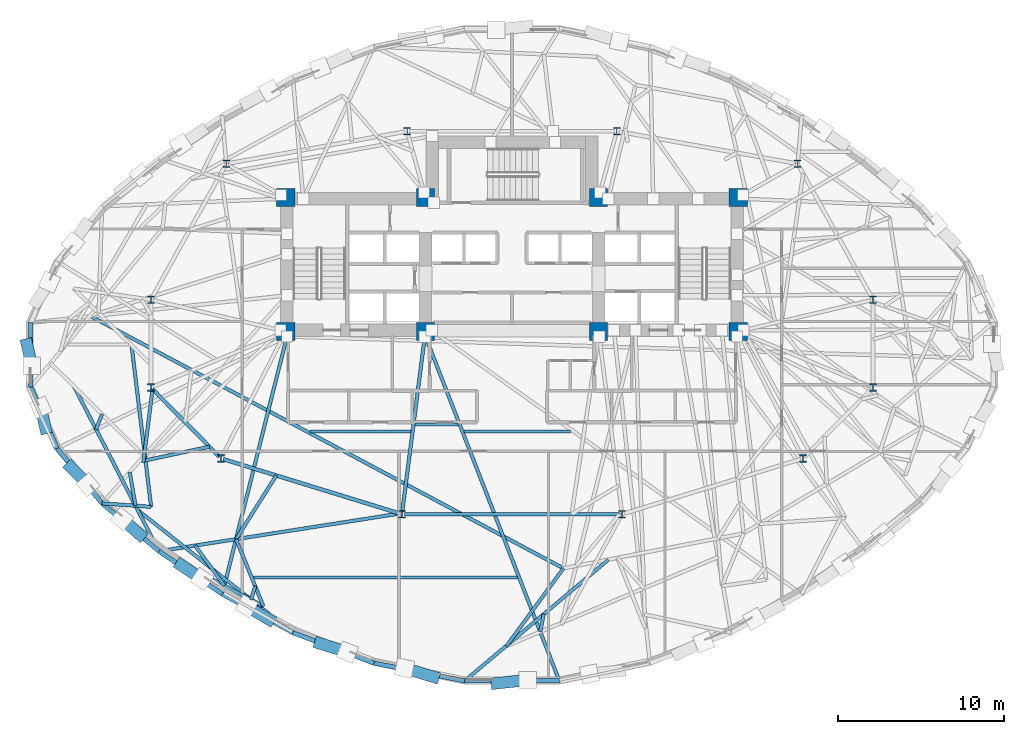
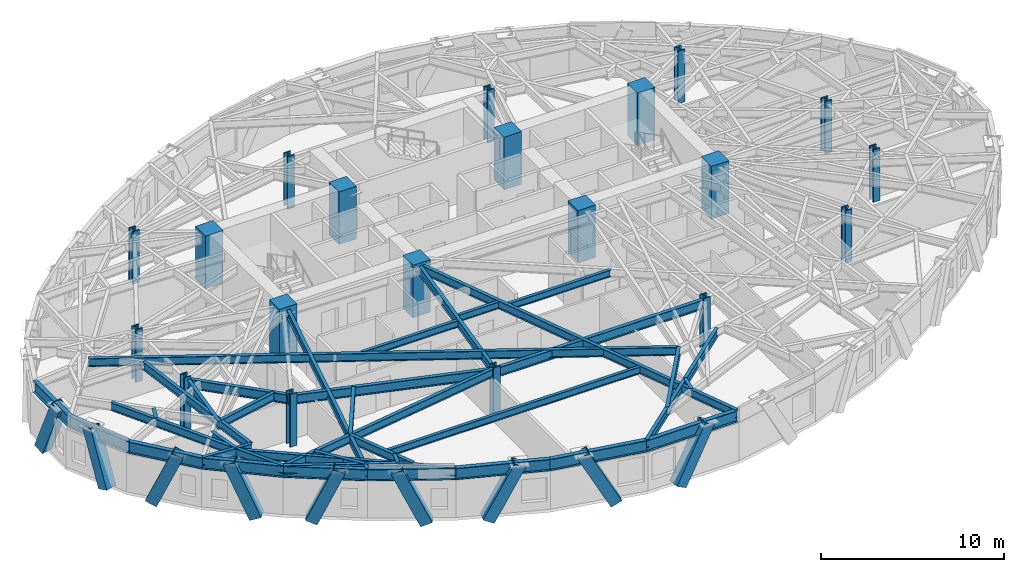
# One storey, part 1 of 14: 37 beams, 20 columns, 9 members.
"""IFC4 building model written with IfcOpenShell, lengths in metres."""

from ifc_helpers import new_model, si_unit, direction, frame, origin, origin_2d, place, context, subcontext, project, spatial, rectangle, hollow_rectangle, i_section, extrude, material, material_profile, profile_set, type_object, element, save


model = new_model("IFC4")

# Units and contexts
model_context = context("Model", 3, precision=1e-05, world=origin(), true_north=direction((0.0, 1.0)))
body_context = subcontext(model_context, "Body", "Model", "MODEL_VIEW")
ifc_project = project(units=[si_unit("LENGTHUNIT", "METRE"), si_unit("AREAUNIT", "SQUARE_METRE"), si_unit("VOLUMEUNIT", "CUBIC_METRE"), si_unit("PLANEANGLEUNIT", "RADIAN"), si_unit("MASSUNIT", "GRAM", prefix="KILO")], contexts=[model_context])

# Site, building, storey
site_placement = place(None, origin())
site = spatial("IfcSite", under=ifc_project, at=site_placement, CompositionType="ELEMENT")
building_placement = place(site_placement, origin())
building = spatial("IfcBuilding", under=site, at=building_placement, Name="Keldmark Tower", CompositionType="ELEMENT")
storey_placement = place(building_placement, frame((0.0, 0.0, 86.10009765625)))
storey = spatial("IfcBuildingStorey", under=building, at=storey_placement, Name="L22", CompositionType="ELEMENT", Elevation=86.10009765625)

# Columns
ifc_material_1 = material(Name="Concrete C70/85", Category="concrete")
ifc_material_profile_1 = material_profile(ifc_material_1, rectangle(XDim=1.10009765625, YDim=1.10009765625, at=origin_2d()), Name="RC1100X1100")
ifc_profile_set_1 = profile_set([ifc_material_profile_1], Name="Concrete C70/85")
column_type_1 = type_object("IfcColumnType", Name="Core Boundary Column RC1100", PredefinedType="COLUMN", material=ifc_profile_set_1)
for number, where, z_axis, x_axis, name in (
    (1, (-13.60009765625, 1.39990234375, 0.0), (0.0, 0.0, 1.0), (1.0, 0.0, 0.0), "L22 Core Boundary Column CC-W1"),
    (2, (-13.60009765625, 9.449951171875, 0.0), (0.0, 0.0, 1.0), (1.0, 0.0, 0.0), "L22 Core Boundary Column CC-W2"),
    (3, (-5.199951171875, 1.39990234375, 0.0), (0.0, 0.0, 1.0), (1.0, 0.0, 0.0), "L22 Core Boundary Column CC-W3"),
    (4, (-5.199951171875, 9.449951171875, 0.0), (0.0, 0.0, 1.0), (1.0, 0.0, 0.0), "L22 Core Boundary Column CC-W4"),
    (5, (5.199951171875, 1.39990234375, 0.0), (0.0, 0.0, 1.0), (1.0, 0.0, 0.0), "L22 Core Boundary Column CC-E1"),
    (6, (5.199951171875, 9.449951171875, 0.0), (0.0, 0.0, 1.0), (1.0, 0.0, 0.0), "L22 Core Boundary Column CC-E2"),
    (7, (13.60009765625, 1.39990234375, 0.0), (0.0, 0.0, 1.0), (1.0, 0.0, 0.0), "L22 Core Boundary Column CC-E3"),
    (8, (13.60009765625, 9.449951171875, 0.0), (0.0, 0.0, 1.0), (1.0, 0.0, 0.0), "L22 Core Boundary Column CC-E4"),
):
    element("IfcColumn", number, at=place(storey_placement, frame(where, z_axis=z_axis, x_axis=x_axis)), inside=storey, type_object=column_type_1, Name=name, PredefinedType="COLUMN", context=body_context, shape_type="SweptSolid", body=[
        extrude(rectangle(XDim=1.10009765625, YDim=1.10009765625, at=origin_2d()), origin(), (0.0, 0.0, 1.0), 3.5),
    ])
ifc_material_2 = material(Name="Steel ASTM A992 Grade 50", Category="steel")
ifc_material_profile_2 = material_profile(ifc_material_2, i_section(OverallWidth=0.424072265625, OverallDepth=0.47412109375, WebThickness=0.047607421875, FlangeThickness=0.0771484375, at=origin_2d()), Name="W14X426")
ifc_profile_set_2 = profile_set([ifc_material_profile_2], Name="Steel ASTM A992 Grade 50")
column_type_2 = type_object("IfcColumnType", Name="Tower Gravity Column W14X426", PredefinedType="COLUMN", material=ifc_profile_set_2)
for number, where, z_axis, x_axis, name in (
    (9, (21.697021484375, 3.309814453125, 0.0), (0.0, 0.0, 1.0), (1.0, 0.0, 0.0), "L22 Tower Gravity Column TC-E1"),
    (10, (17.1669921875, 11.478271484375, 0.0), (0.0, 0.0, 1.0), (1.0, 0.0, 0.0), "L22 Tower Gravity Column TC-E4"),
    (11, (6.298828125, 13.4326171875, 0.0), (0.0, 0.0, 1.0), (1.0, 0.0, 0.0), "L22 Tower Gravity Column TC-N2"),
    (12, (-6.298828125, 13.4326171875, 0.0), (0.0, 0.0, 1.0), (1.0, 0.0, 0.0), "L22 Tower Gravity Column TC-N1"),
    (13, (-17.1669921875, 11.478271484375, 0.0), (0.0, 0.0, 1.0), (1.0, 0.0, 0.0), "L22 Tower Gravity Column TC-W4"),
    (14, (-21.697021484375, 3.309814453125, 0.0), (0.0, 0.0, 1.0), (1.0, 0.0, 0.0), "L22 Tower Gravity Column TC-W1"),
    (15, (-21.697021484375, -1.9658203125, 0.0), (0.0, 0.0, 1.0), (1.0, 0.0, 0.0), "L22 Tower Gravity Column TC-W5"),
    (16, (-17.477294921875, -6.2294921875, 0.0), (0.0, 0.0, 1.0), (1.0, 0.0, 0.0), "L22 Tower Gravity Column TC-W2"),
    (17, (-6.61279296875, -9.579345703125, 0.0), (0.0, 0.0, 1.0), (1.0, 0.0, 0.0), "L22 Tower Gravity Column TC-W3"),
    (18, (6.61279296875, -9.579345703125, 0.0), (0.0, 0.0, 1.0), (1.0, 0.0, 0.0), "L22 Tower Gravity Column TC-E3"),
    (19, (17.477294921875, -6.2294921875, 0.0), (0.0, 0.0, 1.0), (1.0, 0.0, 0.0), "L22 Tower Gravity Column TC-E2"),
    (20, (21.697021484375, -1.9658203125, 0.0), (0.0, 0.0, 1.0), (1.0, 0.0, 0.0), "L22 Tower Gravity Column TC-E5"),
):
    element("IfcColumn", number, at=place(storey_placement, frame(where, z_axis=z_axis, x_axis=x_axis)), inside=storey, type_object=column_type_2, Name=name, PredefinedType="COLUMN", context=body_context, shape_type="SweptSolid", body=[
        extrude(i_section(OverallWidth=0.424072265625, OverallDepth=0.47412109375, WebThickness=0.047607421875, FlangeThickness=0.0771484375, at=origin_2d()), origin(), (0.0, 0.0, 1.0), 3.5),
    ])

# Beams
ifc_material_3 = material(Name="Steel ASTM A992 Grade 50", Category="steel")
ifc_material_profile_3 = material_profile(ifc_material_3, i_section(OverallWidth=0.19091796875, OverallDepth=0.45703125, WebThickness=0.009033203125, FlangeThickness=0.014404296875, at=origin_2d()), Name="W18X50")
ifc_profile_set_3 = profile_set([ifc_material_profile_3], Name="Steel ASTM A992 Grade 50")
beam_type_1 = type_object("IfcBeamType", Name="Composite Floor Joist W18X50", PredefinedType="JOIST", material=ifc_profile_set_3)
beam_1_placement = place(storey_placement, frame((-15.537841796875, -13.3798828125, 3.081298828125), z_axis=(1.0, 0.0, 0.0), x_axis=(0.0, 1.0, 0.0)))
element("IfcBeam", 21, at=beam_1_placement, inside=storey, type_object=beam_type_1, Name="L22 Composite Floor Joist J01", PredefinedType="JOIST", context=body_context, shape_type="SweptSolid", body=[
    extrude(i_section(OverallWidth=0.19091796875, OverallDepth=0.45703125, WebThickness=0.009033203125, FlangeThickness=0.014404296875, at=origin_2d()), origin(), (0.0, 0.0, 1.0), 15.86474609375),
])
beam_2_placement = place(storey_placement, frame((-12.129638671875, -4.60009765625, 3.081298828125), z_axis=(1.0, 0.0, 0.0), x_axis=(0.0, 1.0, 0.0)))
element("IfcBeam", 22, at=beam_2_placement, inside=storey, type_object=beam_type_1, Name="L22 Composite Floor Joist J02", PredefinedType="JOIST", context=body_context, shape_type="SweptSolid", body=[
    extrude(i_section(OverallWidth=0.19091796875, OverallDepth=0.45703125, WebThickness=0.009033203125, FlangeThickness=0.014404296875, at=origin_2d()), origin(), (0.0, 0.0, 1.0), 6.058837890625),
])
beam_3_placement = place(storey_placement, frame((-5.819091796875, -4.179931640625, 3.081298828125), z_axis=(1.0, 0.0, 0.0), x_axis=(0.0, 1.0, 0.0)))
element("IfcBeam", 23, at=beam_3_placement, inside=storey, type_object=beam_type_1, Name="L22 Composite Floor Joist J03", PredefinedType="JOIST", context=body_context, shape_type="SweptSolid", body=[
    extrude(i_section(OverallWidth=0.19091796875, OverallDepth=0.45703125, WebThickness=0.009033203125, FlangeThickness=0.014404296875, at=origin_2d()), origin(), (0.0, 0.0, 1.0), 2.56884765625),
])
beam_4_placement = place(storey_placement, frame((-2.88037109375, -4.60009765625, 3.081298828125), z_axis=(1.0, 0.0, 0.0), x_axis=(0.0, 1.0, 0.0)))
element("IfcBeam", 24, at=beam_4_placement, inside=storey, type_object=beam_type_1, Name="L22 Composite Floor Joist J04", PredefinedType="JOIST", context=body_context, shape_type="SweptSolid", body=[
    extrude(i_section(OverallWidth=0.19091796875, OverallDepth=0.45703125, WebThickness=0.009033203125, FlangeThickness=0.014404296875, at=origin_2d()), origin(), (0.0, 0.0, 1.0), 6.40625),
])

# Members
ifc_material_4 = material(Name="Steel ASTM A572 Grade 50", Category="steel")
ifc_material_profile_4 = material_profile(ifc_material_4, hollow_rectangle(XDim=0.699951171875, YDim=0.699951171875, WallThickness=0.054931640625, at=origin_2d()), Name="BOX700X700X55")
ifc_profile_set_4 = profile_set([ifc_material_profile_4], Name="Steel ASTM A572 Grade 50")
member_type = type_object("IfcMemberType", Name="Diagrid Zone 1 Brace BOX700X700X55", PredefinedType="BRACE", material=ifc_profile_set_4)
member_1_placement = place(storey_placement, frame((-29.148193359375, 0.64404296875, -0.27001953125), z_axis=(0.080506829447, -0.348972729608, 0.933668401737), x_axis=(0.974406695158, 0.224792331788, 0.0)))
element("IfcMember", 25, at=member_1_placement, inside=storey, type_object=member_type, Name="L22 Perimeter Diagrid Brace 08B", PredefinedType="BRACE", context=body_context, shape_type="SweptSolid", body=[
    extrude(hollow_rectangle(XDim=0.699951171875, YDim=0.699951171875, WallThickness=0.054931640625, at=origin_2d()), origin(), (0.0, 0.0, 1.0), 3.705810546875),
])
member_2_placement = place(storey_placement, frame((-28.0302734375, -4.41796875, -0.27001953125), z_axis=(-0.079281396412, 0.342099225519, 0.93631329163), x_axis=(-0.97418149595, -0.225766279478, 0.0)))
element("IfcMember", 26, at=member_2_placement, inside=storey, type_object=member_type, Name="L22 Perimeter Diagrid Brace 09A", PredefinedType="BRACE", context=body_context, shape_type="SweptSolid", body=[
    extrude(hollow_rectangle(XDim=0.699951171875, YDim=0.699951171875, WallThickness=0.054931640625, at=origin_2d()), origin(), (0.0, 0.0, 1.0), 3.6953125),
])
member_3_placement = place(storey_placement, frame((-26.53662109375, -6.741943359375, -0.27001953125), z_axis=(0.281275833299, -0.282117201415, 0.917220687876), x_axis=(0.708161980955, 0.706050004412, 0.0)))
element("IfcMember", 27, at=member_3_placement, inside=storey, type_object=member_type, Name="L22 Perimeter Diagrid Brace 09B", PredefinedType="BRACE", context=body_context, shape_type="SweptSolid", body=[
    extrude(hollow_rectangle(XDim=0.699951171875, YDim=0.699951171875, WallThickness=0.054931640625, at=origin_2d()), origin(), (0.0, 0.0, 1.0), 3.772216796875),
])
member_4_placement = place(storey_placement, frame((-22.333740234375, -10.826416015625, -0.27001953125), z_axis=(-0.29462091502, 0.258134146787, 0.920089820993), x_axis=(-0.658997297756, -0.752145306141, 0.0)))
element("IfcMember", 28, at=member_4_placement, inside=storey, type_object=member_type, Name="L22 Perimeter Diagrid Brace 10A", PredefinedType="BRACE", context=body_context, shape_type="SweptSolid", body=[
    extrude(hollow_rectangle(XDim=0.699951171875, YDim=0.699951171875, WallThickness=0.054931640625, at=origin_2d()), origin(), (0.0, 0.0, 1.0), 3.760498046875),
])
member_5_placement = place(storey_placement, frame((-19.90478515625, -12.62548828125, -0.27001953125), z_axis=(0.336502413417, -0.226205475149, 0.91411006382), x_axis=(0.557889925852, 0.829914953855, 0.0)))
element("IfcMember", 29, at=member_5_placement, inside=storey, type_object=member_type, Name="L22 Perimeter Diagrid Brace 10B", PredefinedType="BRACE", context=body_context, shape_type="SweptSolid", body=[
    extrude(hollow_rectangle(XDim=0.699951171875, YDim=0.699951171875, WallThickness=0.054931640625, at=origin_2d()), origin(), (0.0, 0.0, 1.0), 3.78515625),
])
member_6_placement = place(storey_placement, frame((-14.57568359375, -15.91845703125, -0.27001953125), z_axis=(-0.362376474624, 0.21307224515, 0.907349717026), x_axis=(-0.506860377155, -0.862028165474, 0.0)))
element("IfcMember", 30, at=member_6_placement, inside=storey, type_object=member_type, Name="L22 Perimeter Diagrid Brace 11A", PredefinedType="BRACE", context=body_context, shape_type="SweptSolid", body=[
    extrude(hollow_rectangle(XDim=0.699951171875, YDim=0.699951171875, WallThickness=0.054931640625, at=origin_2d()), origin(), (0.0, 0.0, 1.0), 3.813232421875),
])
member_7_placement = place(storey_placement, frame((-11.564453125, -17.337890625, -0.27001953125), z_axis=(0.432093442347, -0.135328042296, 0.891617394429), x_axis=(0.298876215948, 0.95429188802, 0.0)))
element("IfcMember", 31, at=member_7_placement, inside=storey, type_object=member_type, Name="L22 Perimeter Diagrid Brace 11B", PredefinedType="BRACE", context=body_context, shape_type="SweptSolid", body=[
    extrude(hollow_rectangle(XDim=0.699951171875, YDim=0.699951171875, WallThickness=0.054931640625, at=origin_2d()), origin(), (0.0, 0.0, 1.0), 3.880615234375),
])
member_8_placement = place(storey_placement, frame((-4.68408203125, -19.361328125, -0.27001953125), z_axis=(-0.452043716939, 0.136769968843, 0.881447930169), x_axis=(-0.289594344193, -0.957149474122, 0.0)))
element("IfcMember", 32, at=member_8_placement, inside=storey, type_object=member_type, Name="L22 Perimeter Diagrid Brace 12A", PredefinedType="BRACE", context=body_context, shape_type="SweptSolid", body=[
    extrude(hollow_rectangle(XDim=0.699951171875, YDim=0.699951171875, WallThickness=0.054931640625, at=origin_2d()), origin(), (0.0, 0.0, 1.0), 3.92529296875),
])
member_9_placement = place(storey_placement, frame((-0.952880859375, -19.738037109375, -0.27001953125), z_axis=(0.48225698925, 0.051033465145, 0.874542041159), x_axis=(-0.105234551989, 0.994447429012, 0.0)))
element("IfcMember", 33, at=member_9_placement, inside=storey, type_object=member_type, Name="L22 Perimeter Diagrid Brace 12B", PredefinedType="BRACE", context=body_context, shape_type="SweptSolid", body=[
    extrude(hollow_rectangle(XDim=0.699951171875, YDim=0.699951171875, WallThickness=0.054931640625, at=origin_2d()), origin(), (0.0, 0.0, 1.0), 3.956298828125),
])

# Beams
ifc_material_5 = material(Name="Steel ASTM A992 Grade 50", Category="steel")
ifc_material_profile_5 = material_profile(ifc_material_5, i_section(OverallWidth=0.22900390625, OverallDepth=0.612060546875, WebThickness=0.011962890625, FlangeThickness=0.01953125, at=origin_2d()), Name="W24X84")
ifc_profile_set_5 = profile_set([ifc_material_profile_5], Name="Steel ASTM A992 Grade 50")
beam_type_2 = type_object("IfcBeamType", Name="Primary Floor Girder W24X84", PredefinedType="BEAM", material=ifc_profile_set_5)
beam_5_placement = place(storey_placement, frame((-21.598388671875, -2.0654296875, 3.00390625), z_axis=(0.703425791323, -0.71076870788, 0.0), x_axis=(0.71076870788, 0.703425791323, 0.0)))
element("IfcBeam", 34, at=beam_5_placement, inside=storey, type_object=beam_type_2, Name="L22 Floor Ring Girder FG-R07", PredefinedType="BEAM", context=body_context, shape_type="SweptSolid", body=[
    extrude(i_section(OverallWidth=0.22900390625, OverallDepth=0.612060546875, WebThickness=0.011962890625, FlangeThickness=0.01953125, at=origin_2d()), origin(), (0.0, 0.0, 1.0), 5.71875),
])
beam_6_placement = place(storey_placement, frame((-17.343505859375, -6.270751953125, 3.00390625), z_axis=(0.955607954968, -0.294641199432, 0.0), x_axis=(0.294641199432, 0.955607954968, 0.0)))
element("IfcBeam", 35, at=beam_6_placement, inside=storey, type_object=beam_type_2, Name="L22 Floor Ring Girder FG-R08", PredefinedType="BEAM", context=body_context, shape_type="SweptSolid", body=[
    extrude(i_section(OverallWidth=0.22900390625, OverallDepth=0.612060546875, WebThickness=0.011962890625, FlangeThickness=0.01953125, at=origin_2d()), origin(), (0.0, 0.0, 1.0), 11.089111328125),
])
beam_7_placement = place(storey_placement, frame((-6.472900390625, -9.579345703125, 3.00390625), z_axis=(1.0, 0.0, 0.0), x_axis=(0.0, 1.0, 0.0)))
element("IfcBeam", 36, at=beam_7_placement, inside=storey, type_object=beam_type_2, Name="L22 Floor Ring Girder FG-R09", PredefinedType="BEAM", context=body_context, shape_type="SweptSolid", body=[
    extrude(i_section(OverallWidth=0.22900390625, OverallDepth=0.612060546875, WebThickness=0.011962890625, FlangeThickness=0.01953125, at=origin_2d()), origin(), (0.0, 0.0, 1.0), 12.94580078125),
])
ifc_material_6 = material(Name="Steel ASTM A992 Grade 50", Category="steel")
ifc_material_profile_6 = material_profile(ifc_material_6, i_section(OverallWidth=0.2099609375, OverallDepth=0.537109375, WebThickness=0.010986328125, FlangeThickness=0.017333984375, at=origin_2d()), Name="W21X68")
ifc_profile_set_6 = profile_set([ifc_material_profile_6], Name="Steel ASTM A992 Grade 50")
beam_type_3 = type_object("IfcBeamType", Name="Radial Tie Girder W21X68", PredefinedType="BEAM", material=ifc_profile_set_6)
beam_8_placement = place(storey_placement, frame((-25.351806640625, 2.34033203125, 3.04150390625), z_axis=(0.882342667647, -0.470607497655, 0.0), x_axis=(0.470607497655, 0.882342667647, 0.0)))
element("IfcBeam", 37, at=beam_8_placement, inside=storey, type_object=beam_type_3, Name="L22 Perimeter Collector Ring Beam CRG2-M07", PredefinedType="BEAM", context=body_context, shape_type="SweptSolid", body=[
    extrude(i_section(OverallWidth=0.2099609375, OverallDepth=0.537109375, WebThickness=0.010986328125, FlangeThickness=0.017333984375, at=origin_2d()), origin(), (0.0, 0.0, 1.0), 32.234130859375),
])
beam_9_placement = place(storey_placement, frame((-21.598388671875, -2.0654296875, 3.04150390625), z_axis=(-0.124914754529, -0.992167477849, 0.0), x_axis=(0.992167477849, -0.124914754529, 0.0)))
element("IfcBeam", 38, at=beam_9_placement, inside=storey, type_object=beam_type_3, Name="L22 Local Collector Chord RT-19C", PredefinedType="BEAM", context=body_context, shape_type="SweptSolid", body=[
    extrude(i_section(OverallWidth=0.2099609375, OverallDepth=0.537109375, WebThickness=0.010986328125, FlangeThickness=0.017333984375, at=origin_2d()), origin(), (0.0, 0.0, 1.0), 4.4384765625),
])
beam_10_placement = place(storey_placement, frame((-18.17919921875, -5.5205078125, 3.04150390625), z_axis=(-0.977858753571, -0.20926599835, 0.0), x_axis=(0.20926599835, -0.977858753571, 0.0)))
element("IfcBeam", 39, at=beam_10_placement, inside=storey, type_object=beam_type_3, Name="L22 Framing Pin Header PH-027", PredefinedType="BEAM", context=body_context, shape_type="SweptSolid", body=[
    extrude(i_section(OverallWidth=0.2099609375, OverallDepth=0.537109375, WebThickness=0.010986328125, FlangeThickness=0.017333984375, at=origin_2d()), origin(), (0.0, 0.0, 1.0), 3.92919921875),
])
beam_11_placement = place(storey_placement, frame((-22.85791015625, 0.562255859375, 3.04150390625), z_axis=(0.1202440366, -0.992744363702, 0.0), x_axis=(0.992744363702, 0.1202440366, 0.0)))
element("IfcBeam", 40, at=beam_11_placement, inside=storey, type_object=beam_type_3, Name="L22 Intermediate Radial Step Girder RT-20M", PredefinedType="BEAM", context=body_context, shape_type="SweptSolid", body=[
    extrude(i_section(OverallWidth=0.2099609375, OverallDepth=0.537109375, WebThickness=0.010986328125, FlangeThickness=0.017333984375, at=origin_2d()), origin(), (0.0, 0.0, 1.0), 9.76806640625),
])
beam_12_placement = place(storey_placement, frame((-24.635009765625, -8.925537109375, 3.04150390625), z_axis=(0.997491262129, -0.070789702474, 0.0), x_axis=(0.070789702474, 0.997491262129, 0.0)))
element("IfcBeam", 41, at=beam_12_placement, inside=storey, type_object=beam_type_3, Name="L22 Local Collector Chord RT-20C", PredefinedType="BEAM", context=body_context, shape_type="SweptSolid", body=[
    extrude(i_section(OverallWidth=0.2099609375, OverallDepth=0.537109375, WebThickness=0.010986328125, FlangeThickness=0.017333984375, at=origin_2d()), origin(), (0.0, 0.0, 1.0), 2.958984375),
])
beam_13_placement = place(storey_placement, frame((-22.968505859375, -7.051025390625, 3.04150390625), z_axis=(0.169367683384, -0.98555293507, 0.0), x_axis=(0.98555293507, 0.169367683384, 0.0)))
element("IfcBeam", 42, at=beam_13_placement, inside=storey, type_object=beam_type_3, Name="L22 Framing Pin Header PH-028", PredefinedType="BEAM", context=body_context, shape_type="SweptSolid", body=[
    extrude(i_section(OverallWidth=0.2099609375, OverallDepth=0.537109375, WebThickness=0.010986328125, FlangeThickness=0.017333984375, at=origin_2d()), origin(), (0.0, 0.0, 1.0), 2.046875),
])
beam_14_placement = place(storey_placement, frame((-26.318359375, -1.896484375, 3.04150390625), z_axis=(0.45813550901, -0.888882363074, 0.0), x_axis=(0.888882363074, 0.45813550901, 0.0)))
element("IfcBeam", 43, at=beam_14_placement, inside=storey, type_object=beam_type_3, Name="L22 Perimeter Radial Tie Girder RT-20", PredefinedType="BEAM", context=body_context, shape_type="SweptSolid", body=[
    extrude(i_section(OverallWidth=0.2099609375, OverallDepth=0.537109375, WebThickness=0.010986328125, FlangeThickness=0.017333984375, at=origin_2d()), origin(), (0.0, 0.0, 1.0), 11.142333984375),
])
beam_15_placement = place(storey_placement, frame((-24.632568359375, -3.569091796875, 3.04150390625), z_axis=(-0.363145690033, -0.931732369197, 0.0), x_axis=(0.931732369197, -0.363145690033, 0.0)))
element("IfcBeam", 44, at=beam_15_placement, inside=storey, type_object=beam_type_3, Name="L22 Framing Pin Header PH-042", PredefinedType="BEAM", context=body_context, shape_type="SweptSolid", body=[
    extrude(i_section(OverallWidth=0.2099609375, OverallDepth=0.537109375, WebThickness=0.010986328125, FlangeThickness=0.017333984375, at=origin_2d()), origin(), (0.0, 0.0, 1.0), 0.976806640625),
])
beam_16_placement = place(storey_placement, frame((-21.213623046875, -11.80078125, 3.04150390625), z_axis=(0.987988896698, 0.154524884733, 0.0), x_axis=(-0.154524884733, 0.987988896698, 0.0)))
element("IfcBeam", 45, at=beam_16_placement, inside=storey, type_object=beam_type_3, Name="L22 Straddling Support Chord RT-21RB", PredefinedType="BEAM", context=body_context, shape_type="SweptSolid", body=[
    extrude(i_section(OverallWidth=0.2099609375, OverallDepth=0.537109375, WebThickness=0.010986328125, FlangeThickness=0.017333984375, at=origin_2d()), origin(), (0.0, 0.0, 1.0), 14.642822265625),
])
beam_17_placement = place(storey_placement, frame((-14.164306640625, -7.2509765625, 3.04150390625), z_axis=(-0.534086374632, -0.845429916926, 0.0), x_axis=(0.845429916926, -0.534086374632, 0.0)))
element("IfcBeam", 46, at=beam_17_placement, inside=storey, type_object=beam_type_3, Name="L22 Framing Pin Header PH-043", PredefinedType="BEAM", context=body_context, shape_type="SweptSolid", body=[
    extrude(i_section(OverallWidth=0.2099609375, OverallDepth=0.537109375, WebThickness=0.010986328125, FlangeThickness=0.017333984375, at=origin_2d()), origin(), (0.0, 0.0, 1.0), 4.524658203125),
])
beam_18_placement = place(storey_placement, frame((-13.52490234375, 1.10009765625, 3.04150390625), z_axis=(-0.243413781986, -0.969922538525, 0.0), x_axis=(0.969922538525, -0.243413781986, 0.0)))
element("IfcBeam", 47, at=beam_18_placement, inside=storey, type_object=beam_type_3, Name="L22 Perimeter Radial Tie Girder RT-21R", PredefinedType="BEAM", context=body_context, shape_type="SweptSolid", body=[
    extrude(i_section(OverallWidth=0.2099609375, OverallDepth=0.537109375, WebThickness=0.010986328125, FlangeThickness=0.017333984375, at=origin_2d()), origin(), (0.0, 0.0, 1.0), 15.95947265625),
])
beam_19_placement = place(storey_placement, frame((-19.04345703125, -11.46142578125, 3.04150390625), z_axis=(0.59034883283, -0.807148224044, 0.0), x_axis=(0.807148224044, 0.59034883283, 0.0)))
element("IfcBeam", 48, at=beam_19_placement, inside=storey, type_object=beam_type_3, Name="L22 Framing Pin Header PH-044", PredefinedType="BEAM", context=body_context, shape_type="SweptSolid", body=[
    extrude(i_section(OverallWidth=0.2099609375, OverallDepth=0.537109375, WebThickness=0.010986328125, FlangeThickness=0.017333984375, at=origin_2d()), origin(), (0.0, 0.0, 1.0), 2.984130859375),
])
beam_20_placement = place(storey_placement, frame((-21.213623046875, -11.80078125, 3.04150390625), z_axis=(0.884928680263, -0.465726562318, 0.0), x_axis=(0.465726562318, 0.884928680263, 0.0)))
element("IfcBeam", 49, at=beam_20_placement, inside=storey, type_object=beam_type_3, Name="L22 Crown Step Radial Girder RT-22RN1", PredefinedType="BEAM", context=body_context, shape_type="SweptSolid", body=[
    extrude(i_section(OverallWidth=0.2099609375, OverallDepth=0.537109375, WebThickness=0.010986328125, FlangeThickness=0.017333984375, at=origin_2d()), origin(), (0.0, 0.0, 1.0), 7.08935546875),
])
beam_21_placement = place(storey_placement, frame((-14.93994140625, -15.1025390625, 3.04150390625), z_axis=(-0.377394985366, 0.926052387838, 0.0), x_axis=(-0.926052387838, -0.377394985366, 0.0)))
element("IfcBeam", 50, at=beam_21_placement, inside=storey, type_object=beam_type_3, Name="L22 Crown Step Collector Chord RT-22RP1", PredefinedType="BEAM", context=body_context, shape_type="SweptSolid", body=[
    extrude(i_section(OverallWidth=0.2099609375, OverallDepth=0.537109375, WebThickness=0.010986328125, FlangeThickness=0.017333984375, at=origin_2d()), origin(), (0.0, 0.0, 1.0), 4.347900390625),
])
beam_22_placement = place(storey_placement, frame((-15.43212890625, -13.894775390625, 3.04150390625), z_axis=(-0.280437727342, -0.959872221227, 0.0), x_axis=(0.959872221227, -0.280437727342, 0.0)))
element("IfcBeam", 51, at=beam_22_placement, inside=storey, type_object=beam_type_3, Name="L22 Framing Pin Header PH-045", PredefinedType="BEAM", context=body_context, shape_type="SweptSolid", body=[
    extrude(i_section(OverallWidth=0.2099609375, OverallDepth=0.537109375, WebThickness=0.010986328125, FlangeThickness=0.017333984375, at=origin_2d()), origin(), (0.0, 0.0, 1.0), 0.856689453125),
])
beam_23_placement = place(storey_placement, frame((-22.48974609375, -9.32470703125, 3.04150390625), z_axis=(0.7843156476, -0.620361962833, 0.0), x_axis=(0.620361962833, 0.7843156476, 0.0)))
element("IfcBeam", 52, at=beam_23_placement, inside=storey, type_object=beam_type_3, Name="L22 Perimeter Radial Tie Girder RT-22R", PredefinedType="BEAM", context=body_context, shape_type="SweptSolid", body=[
    extrude(i_section(OverallWidth=0.2099609375, OverallDepth=0.537109375, WebThickness=0.010986328125, FlangeThickness=0.017333984375, at=origin_2d()), origin(), (0.0, 0.0, 1.0), 11.8857421875),
])
beam_24_placement = place(storey_placement, frame((-0.332275390625, -17.49658203125, 3.04150390625), z_axis=(0.591305139725, 0.806447910118, 0.0), x_axis=(-0.806447910118, 0.591305139725, 0.0)))
element("IfcBeam", 53, at=beam_24_placement, inside=storey, type_object=beam_type_3, Name="L22 Crown Step Collector Chord RT-24RP2", PredefinedType="BEAM", context=body_context, shape_type="SweptSolid", body=[
    extrude(i_section(OverallWidth=0.2099609375, OverallDepth=0.537109375, WebThickness=0.010986328125, FlangeThickness=0.017333984375, at=origin_2d()), origin(), (0.0, 0.0, 1.0), 5.787353515625),
])
beam_25_placement = place(storey_placement, frame((5.79541015625, -12.304443359375, 3.04150390625), z_axis=(-0.764329724544, -0.644825613774, 0.0), x_axis=(0.644825613774, -0.764329724544, 0.0)))
element("IfcBeam", 54, at=beam_25_placement, inside=storey, type_object=beam_type_3, Name="L22 Perimeter Radial Tie Girder RT-24R", PredefinedType="BEAM", context=body_context, shape_type="SweptSolid", body=[
    extrude(i_section(OverallWidth=0.2099609375, OverallDepth=0.537109375, WebThickness=0.010986328125, FlangeThickness=0.017333984375, at=origin_2d()), origin(), (0.0, 0.0, 1.0), 11.3076171875),
])
beam_26_placement = place(storey_placement, frame((1.90625, -15.585693359375, 3.04150390625), z_axis=(-0.192191925951, -0.981357357745, 0.0), x_axis=(0.981357357745, -0.192191925951, 0.0)))
element("IfcBeam", 55, at=beam_26_placement, inside=storey, type_object=beam_type_3, Name="L22 Framing Pin Header PH-046", PredefinedType="BEAM", context=body_context, shape_type="SweptSolid", body=[
    extrude(i_section(OverallWidth=0.2099609375, OverallDepth=0.537109375, WebThickness=0.010986328125, FlangeThickness=0.017333984375, at=origin_2d()), origin(), (0.0, 0.0, 1.0), 1.0771484375),
])
beam_27_placement = place(storey_placement, frame((-5.199951171875, 1.10009765625, 3.04150390625), z_axis=(0.362403284644, -0.932021383488, 0.0), x_axis=(0.932021383488, 0.362403284644, 0.0)))
element("IfcBeam", 56, at=beam_27_placement, inside=storey, type_object=beam_type_3, Name="L22 Perimeter Radial Tie Girder RT-25R", PredefinedType="BEAM", context=body_context, shape_type="SweptSolid", body=[
    extrude(i_section(OverallWidth=0.2099609375, OverallDepth=0.537109375, WebThickness=0.010986328125, FlangeThickness=0.017333984375, at=origin_2d()), origin(), (0.0, 0.0, 1.0), 22.20556640625),
])
ifc_material_7 = material(Name="Steel ASTM A992 Grade 50", Category="steel")
ifc_material_profile_7 = material_profile(ifc_material_7, i_section(OverallWidth=0.214111328125, OverallDepth=0.549072265625, WebThickness=0.0146484375, FlangeThickness=0.023681640625, at=origin_2d()), Name="W21X93")
ifc_profile_set_7 = profile_set([ifc_material_profile_7], Name="Steel ASTM A992 Grade 50")
beam_type_4 = type_object("IfcBeamType", Name="Radial Tie Girder W21X93", PredefinedType="BEAM", material=ifc_profile_set_7)
beam_28_placement = place(storey_placement, frame((-6.594970703125, -9.4404296875, 3.035400390625), z_axis=(0.127642040045, 0.991820301069, 0.0), x_axis=(-0.991820301069, 0.127642040045, 0.0)))
element("IfcBeam", 57, at=beam_28_placement, inside=storey, type_object=beam_type_4, Name="L22 Floor Radial Girder FG-C09", PredefinedType="BEAM", context=body_context, shape_type="SweptSolid", body=[
    extrude(i_section(OverallWidth=0.214111328125, OverallDepth=0.549072265625, WebThickness=0.0146484375, FlangeThickness=0.023681640625, at=origin_2d()), origin(), (0.0, 0.0, 1.0), 10.609619140625),
])
ifc_material_8 = material(Name="Steel ASTM A992 Grade 50", Category="steel")
ifc_material_profile_8 = material_profile(ifc_material_8, i_section(OverallWidth=0.26806640625, OverallDepth=0.77001953125, WebThickness=0.015625, FlangeThickness=0.025390625, at=origin_2d()), Name="W30X132")
ifc_profile_set_8 = profile_set([ifc_material_profile_8], Name="Steel ASTM A992 Grade 50")
beam_type_5 = type_object("IfcBeamType", Name="Spandrel Ring Beam W30X132", PredefinedType="SPANDREL", material=ifc_profile_set_8)
beam_29_placement = place(storey_placement, frame((-28.90966796875, 1.929931640625, 2.9248046875), z_axis=(0.0, -1.0, 0.0), x_axis=(1.0, 0.0, 0.0)))
element("IfcBeam", 58, at=beam_29_placement, inside=storey, type_object=beam_type_5, Name="L22 Perimeter Spandrel Ring Beam SRB-16", PredefinedType="SPANDREL", context=body_context, shape_type="SweptSolid", body=[
    extrude(i_section(OverallWidth=0.26806640625, OverallDepth=0.77001953125, WebThickness=0.015625, FlangeThickness=0.025390625, at=origin_2d()), origin(), (0.0, 0.0, 1.0), 3.85986328125),
])
beam_30_placement = place(storey_placement, frame((-28.90966796875, -1.929931640625, 2.9248046875), z_axis=(0.393735759778, -0.919223667815, 0.0), x_axis=(0.919223667815, 0.393735759778, 0.0)))
element("IfcBeam", 59, at=beam_30_placement, inside=storey, type_object=beam_type_5, Name="L22 Perimeter Spandrel Ring Beam SRB-17", PredefinedType="SPANDREL", context=body_context, shape_type="SweptSolid", body=[
    extrude(i_section(OverallWidth=0.26806640625, OverallDepth=0.77001953125, WebThickness=0.015625, FlangeThickness=0.025390625, at=origin_2d()), origin(), (0.0, 0.0, 1.0), 4.013671875),
])
beam_31_placement = place(storey_placement, frame((-27.329345703125, -5.619384765625, 2.9248046875), z_axis=(0.631734109106, -0.775185149104, 0.0), x_axis=(0.775185149104, 0.631734109106, 0.0)))
element("IfcBeam", 60, at=beam_31_placement, inside=storey, type_object=beam_type_5, Name="L22 Perimeter Spandrel Ring Beam SRB-18", PredefinedType="SPANDREL", context=body_context, shape_type="SweptSolid", body=[
    extrude(i_section(OverallWidth=0.26806640625, OverallDepth=0.77001953125, WebThickness=0.015625, FlangeThickness=0.025390625, at=origin_2d()), origin(), (0.0, 0.0, 1.0), 4.264892578125),
])
beam_32_placement = place(storey_placement, frame((-24.635009765625, -8.925537109375, 2.9248046875), z_axis=(0.765563867956, -0.643359902449, 0.0), x_axis=(0.643359902449, 0.765563867956, 0.0)))
element("IfcBeam", 61, at=beam_32_placement, inside=storey, type_object=beam_type_5, Name="L22 Perimeter Spandrel Ring Beam SRB-19", PredefinedType="SPANDREL", context=body_context, shape_type="SweptSolid", body=[
    extrude(i_section(OverallWidth=0.26806640625, OverallDepth=0.77001953125, WebThickness=0.015625, FlangeThickness=0.025390625, at=origin_2d()), origin(), (0.0, 0.0, 1.0), 4.468994140625),
])
beam_33_placement = place(storey_placement, frame((-21.213623046875, -11.80078125, 2.9248046875), z_axis=(0.827742791179, -0.561107718403, 0.0), x_axis=(0.561107718403, 0.827742791179, 0.0)))
element("IfcBeam", 62, at=beam_33_placement, inside=storey, type_object=beam_type_5, Name="L22 Perimeter Spandrel Ring Beam SRB-20", PredefinedType="SPANDREL", context=body_context, shape_type="SweptSolid", body=[
    extrude(i_section(OverallWidth=0.26806640625, OverallDepth=0.77001953125, WebThickness=0.015625, FlangeThickness=0.025390625, at=origin_2d()), origin(), (0.0, 0.0, 1.0), 4.595458984375),
])
beam_34_placement = place(storey_placement, frame((-17.40966796875, -14.37939453125, 2.9248046875), z_axis=(0.877466786029, -0.479637404104, 0.0), x_axis=(0.479637404104, 0.877466786029, 0.0)))
element("IfcBeam", 63, at=beam_34_placement, inside=storey, type_object=beam_type_5, Name="L22 Perimeter Spandrel Ring Beam SRB-21", PredefinedType="SPANDREL", context=body_context, shape_type="SweptSolid", body=[
    extrude(i_section(OverallWidth=0.26806640625, OverallDepth=0.77001953125, WebThickness=0.015625, FlangeThickness=0.025390625, at=origin_2d()), origin(), (0.0, 0.0, 1.0), 4.83447265625),
])
beam_35_placement = place(storey_placement, frame((-13.16748046875, -16.6982421875, 2.9248046875), z_axis=(0.936473584013, -0.350738116613, 0.0), x_axis=(0.350738116613, 0.936473584013, 0.0)))
element("IfcBeam", 64, at=beam_35_placement, inside=storey, type_object=beam_type_5, Name="L22 Perimeter Spandrel Ring Beam SRB-22", PredefinedType="SPANDREL", context=body_context, shape_type="SweptSolid", body=[
    extrude(i_section(OverallWidth=0.26806640625, OverallDepth=0.77001953125, WebThickness=0.015625, FlangeThickness=0.025390625, at=origin_2d()), origin(), (0.0, 0.0, 1.0), 5.2080078125),
])
beam_36_placement = place(storey_placement, frame((-8.290283203125, -18.52490234375, 2.9248046875), z_axis=(0.981183659994, -0.193076734386, 0.0), x_axis=(0.193076734386, 0.981183659994, 0.0)))
element("IfcBeam", 65, at=beam_36_placement, inside=storey, type_object=beam_type_5, Name="L22 Perimeter Spandrel Ring Beam SRB-23", PredefinedType="SPANDREL", context=body_context, shape_type="SweptSolid", body=[
    extrude(i_section(OverallWidth=0.26806640625, OverallDepth=0.77001953125, WebThickness=0.015625, FlangeThickness=0.025390625, at=origin_2d()), origin(), (0.0, 0.0, 1.0), 5.54736328125),
])
beam_37_placement = place(storey_placement, frame((-2.847412109375, -19.595947265625, 2.9248046875), z_axis=(1.0, 0.0, 0.0), x_axis=(0.0, 1.0, 0.0)))
element("IfcBeam", 66, at=beam_37_placement, inside=storey, type_object=beam_type_5, Name="L22 Perimeter Spandrel Ring Beam SRB-24", PredefinedType="SPANDREL", context=body_context, shape_type="SweptSolid", body=[
    extrude(i_section(OverallWidth=0.26806640625, OverallDepth=0.77001953125, WebThickness=0.015625, FlangeThickness=0.025390625, at=origin_2d()), origin(), (0.0, 0.0, 1.0), 5.69482421875),
])

save(model, "model.ifc")
